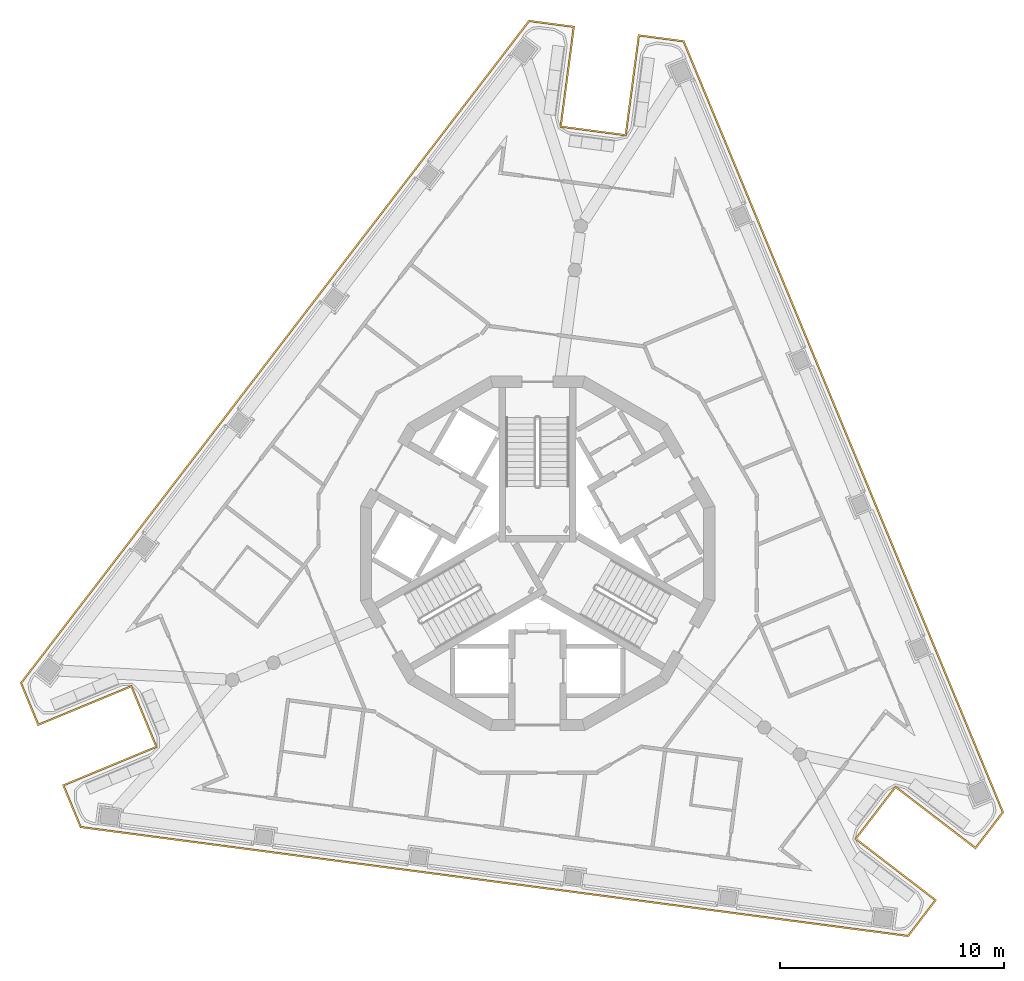
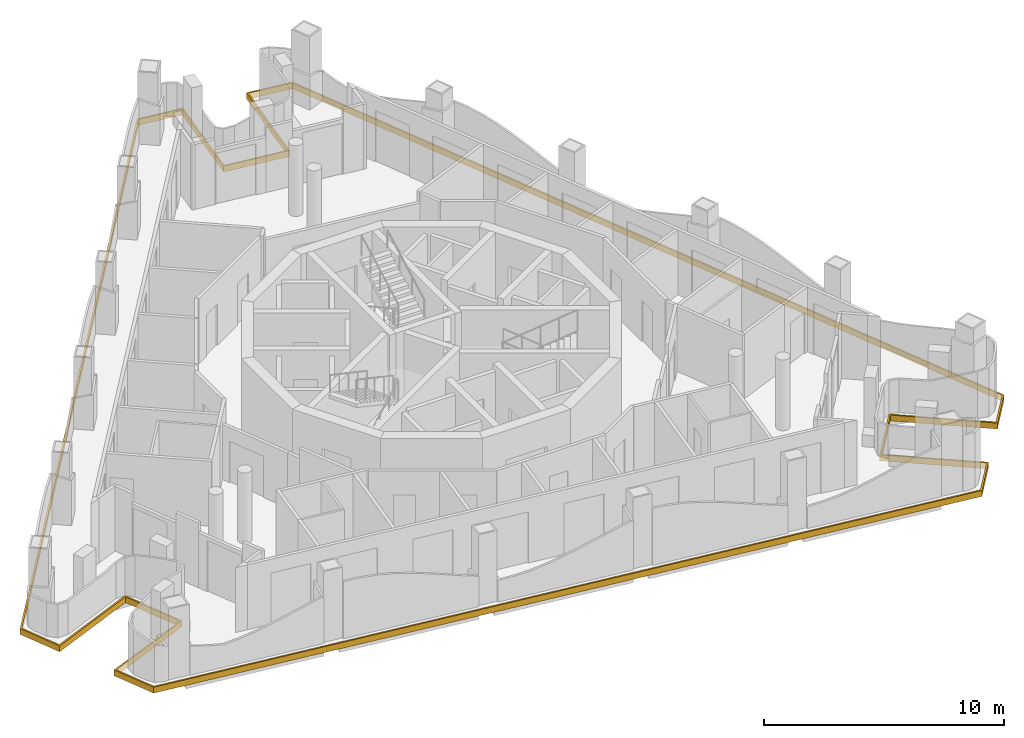
# One storey, part 9 of 12: 1 covering.
"""IFC4 building model written with IfcOpenShell, lengths in metres."""

from ifc_helpers import new_model, si_unit, direction, frame, origin, place, context, subcontext, project, spatial, polyline, outline, extrude, material, layer, layer_set, type_object, element, save


model = new_model("IFC4")

# Units and contexts
model_context = context("Model", 3, precision=1e-05, world=origin(), true_north=direction((0.0, 1.0)))
body_context = subcontext(model_context, "Body", "Model", "MODEL_VIEW")
ifc_project = project(units=[si_unit("LENGTHUNIT", "METRE"), si_unit("AREAUNIT", "SQUARE_METRE"), si_unit("VOLUMEUNIT", "CUBIC_METRE"), si_unit("PLANEANGLEUNIT", "RADIAN"), si_unit("MASSUNIT", "GRAM", prefix="KILO")], contexts=[model_context])

# Site, building, storey
site_placement = place(None, origin())
site = spatial("IfcSite", under=ifc_project, at=site_placement, CompositionType="ELEMENT")
building_placement = place(site_placement, origin())
building = spatial("IfcBuilding", under=site, at=building_placement, Name="Trine Commons Tower", CompositionType="ELEMENT")
storey_placement = place(building_placement, frame((0.0, 0.0, 279.0)))
storey = spatial("IfcBuildingStorey", under=building, at=storey_placement, Name="L73", CompositionType="ELEMENT", Elevation=279.0)

# Covering
ifc_material = material(Name="Limestone, honed", Category="masonry")
ifc_layer = layer(ifc_material, 0.074951171875)
ifc_layer_set = layer_set([ifc_layer], Name="Limestone, honed")
covering_type = type_object("IfcCoveringType", Name="Limestone spandrel panel 75", PredefinedType="CLADDING", material=ifc_layer_set)
covering_placement = place(storey_placement, frame((0.0, 0.0, -0.300048828125)))
element("IfcCovering", 1, at=covering_placement, inside=storey, type_object=covering_type, Name="Limestone spandrel panel 8-01", PredefinedType="CLADDING", context=body_context, shape_type="SweptSolid", body=[
    extrude(outline(polyline([(96.011962890625, 52.009765625), (99.58203125, 49.2705078125), (100.849609375, 50.92236328125), (86.556396484375, 85.429443359375), (84.49169921875, 85.701416015625), (83.904296875, 81.23974609375), (81.078857421875, 81.61181640625), (81.666259765625, 86.0732421875), (79.6015625, 86.34521484375), (56.8642578125, 56.713134765625), (57.6611328125, 54.789306640625), (61.818603515625, 56.511474609375), (62.9091796875, 53.87841796875), (58.751708984375, 52.15625), (59.548583984375, 50.232421875), (96.579345703125, 45.357177734375), (97.846923828125, 47.00927734375), (94.277099609375, 49.748779296875), (96.011962890625, 52.009765625)]), holes=[polyline([(84.556396484375, 85.6171875), (86.503662109375, 85.36083984375), (100.763916015625, 50.933837890625), (99.568115234375, 49.37548828125), (95.998046875, 52.114990234375), (94.171875, 49.73486328125), (97.741943359375, 46.99560546875), (96.546142578125, 45.437255859375), (59.601318359375, 50.301025390625), (58.849853515625, 52.11572265625), (63.007080078125, 53.837890625), (61.859130859375, 56.609375), (57.70166015625, 54.88720703125), (56.9501953125, 56.701904296875), (79.634765625, 86.26513671875), (81.58203125, 86.0087890625), (80.99462890625, 81.54736328125), (83.968994140625, 81.15576171875), (84.556396484375, 85.6171875)])]), origin(), (0.0, 0.0, 1.0), 0.300048828125),
])

save(model, "model.ifc")
